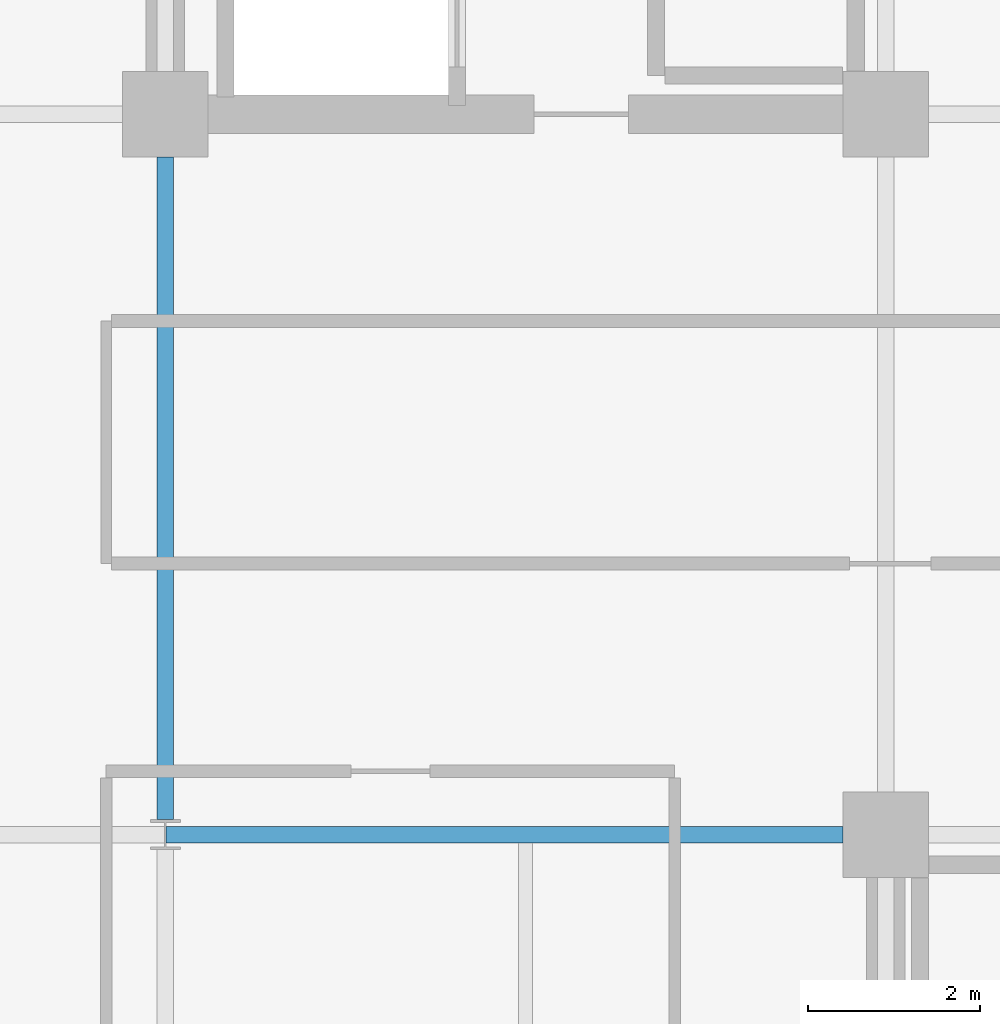
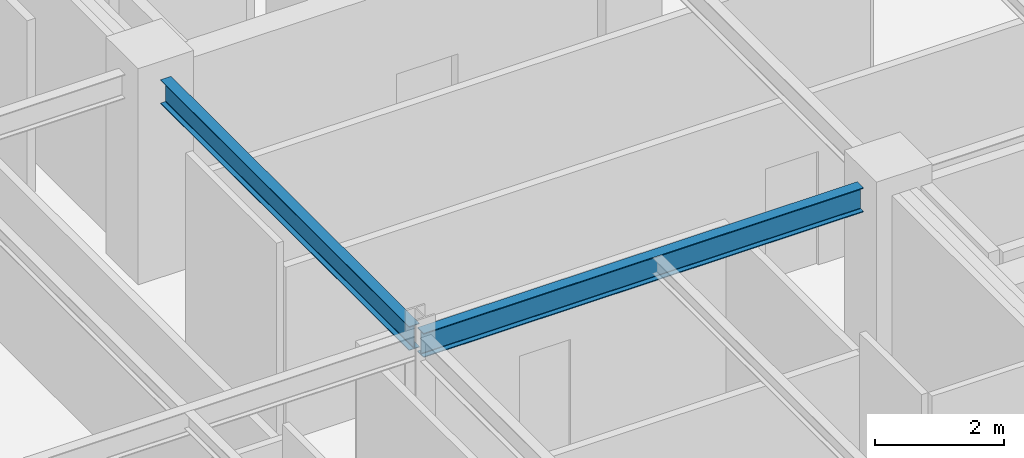
# One storey, part 9 of 26: 2 beams.
"""IFC4 building model written with IfcOpenShell, lengths in metres."""

from ifc_helpers import new_model, si_unit, direction, frame, origin, origin_2d, place, context, subcontext, project, spatial, i_section, extrude, material, material_profile, profile_set, type_object, element, save


model = new_model("IFC4")

# Units and contexts
model_context = context("Model", 3, precision=1e-05, world=origin(), true_north=direction((0.0, 1.0)))
body_context = subcontext(model_context, "Body", "Model", "MODEL_VIEW")
ifc_project = project(units=[si_unit("LENGTHUNIT", "METRE"), si_unit("AREAUNIT", "SQUARE_METRE"), si_unit("VOLUMEUNIT", "CUBIC_METRE"), si_unit("PLANEANGLEUNIT", "RADIAN"), si_unit("MASSUNIT", "GRAM", prefix="KILO")], contexts=[model_context])

# Site, building, storey
site_placement = place(None, origin())
site = spatial("IfcSite", under=ifc_project, at=site_placement, CompositionType="ELEMENT")
building_placement = place(site_placement, origin())
building = spatial("IfcBuilding", under=site, at=building_placement, Name="Nerrivon Quay Data Exchange", CompositionType="ELEMENT")
storey_placement = place(building_placement, frame((0.0, 0.0, 241.10009765625)))
storey = spatial("IfcBuildingStorey", under=building, at=storey_placement, Name="L57", CompositionType="ELEMENT", Elevation=241.10009765625)

# Beams
ifc_material = material(Name="Steel Grade 350", Category="steel")
ifc_material_profile_1 = material_profile(ifc_material, i_section(OverallWidth=0.19091796875, OverallDepth=0.4599609375, WebThickness=0.010009765625, FlangeThickness=0.01611328125, FilletRadius=0.011474609375, at=origin_2d()), Name="460UB82.1")
ifc_profile_set_1 = profile_set([ifc_material_profile_1], Name="Steel Grade 350")
beam_type_1 = type_object("IfcBeamType", Name="BM-G5-460UB82", PredefinedType="BEAM", material=ifc_profile_set_1)
beam_1_placement = place(storey_placement, frame((8.409912109375, 16.800048828125, 3.52001953125), z_axis=(1.0, 0.0, 0.0), x_axis=(0.0, 1.0, 0.0)))
element("IfcBeam", 1, at=beam_1_placement, inside=storey, type_object=beam_type_1, Name="L57 EW Girder Y=16.8 (8.4..16.8)", PredefinedType="BEAM", context=body_context, shape_type="SweptSolid", body=[
    extrude(i_section(OverallWidth=0.19091796875, OverallDepth=0.4599609375, WebThickness=0.010009765625, FlangeThickness=0.01611328125, FilletRadius=0.011474609375, at=origin_2d()), origin(), (0.0, 0.0, 1.0), 7.89013671875),
])
ifc_material_profile_2 = material_profile(ifc_material, i_section(OverallWidth=0.18994140625, OverallDepth=0.4541015625, WebThickness=0.008544921875, FlangeThickness=0.0126953125, FilletRadius=0.011474609375, at=origin_2d()), Name="460UB67.1")
ifc_profile_set_2 = profile_set([ifc_material_profile_2], Name="Steel Grade 350")
beam_type_2 = type_object("IfcBeamType", Name="BM-G6-460UB67", PredefinedType="BEAM", material=ifc_profile_set_2)
beam_2_placement = place(storey_placement, frame((8.39990234375, 16.97509765625, 3.52294921875), z_axis=(0.0, 1.0, 0.0), x_axis=(-1.0, 0.0, 0.0)))
element("IfcBeam", 2, at=beam_2_placement, inside=storey, type_object=beam_type_2, Name="L57 NS Girder X=8.4 (16.8..25.2)", PredefinedType="BEAM", context=body_context, shape_type="SweptSolid", body=[
    extrude(i_section(OverallWidth=0.18994140625, OverallDepth=0.4541015625, WebThickness=0.008544921875, FlangeThickness=0.0126953125, FilletRadius=0.011474609375, at=origin_2d()), origin(), (0.0, 0.0, 1.0), 7.724853515625),
])

save(model, "model.ifc")
